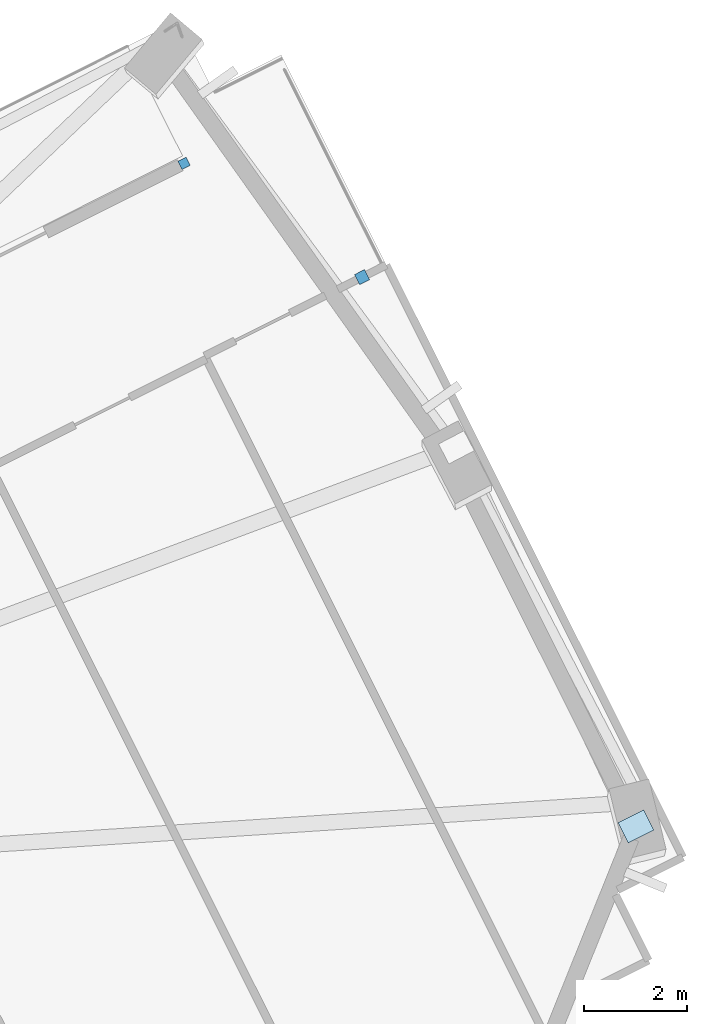
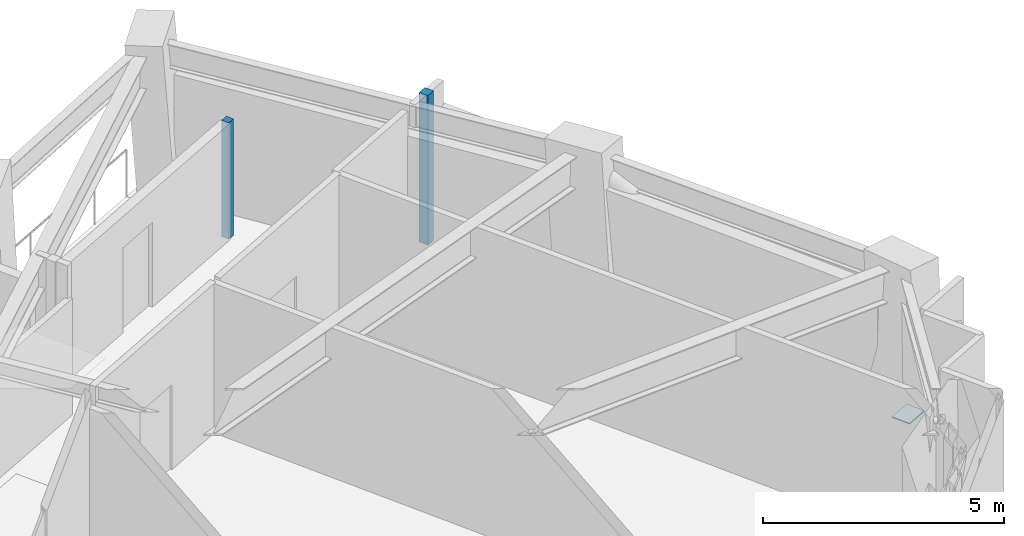
# One storey, part 6 of 16: 3 plates.
"""IFC4 building model written with IfcOpenShell, lengths in metres."""

from ifc_helpers import new_model, si_unit, direction, frame, origin, origin_2d, place, context, subcontext, project, spatial, rectangle, extrude, material, layer, layer_set, type_object, element, save


model = new_model("IFC4")

# Units and contexts
model_context = context("Model", 3, precision=1e-05, world=origin(), true_north=direction((0.0, 1.0)))
body_context = subcontext(model_context, "Body", "Model", "MODEL_VIEW")
ifc_project = project(units=[si_unit("LENGTHUNIT", "METRE"), si_unit("AREAUNIT", "SQUARE_METRE"), si_unit("VOLUMEUNIT", "CUBIC_METRE"), si_unit("PLANEANGLEUNIT", "RADIAN"), si_unit("MASSUNIT", "GRAM", prefix="KILO")], contexts=[model_context])

# Site, building, storey
site_placement = place(None, origin())
site = spatial("IfcSite", under=ifc_project, at=site_placement, CompositionType="ELEMENT")
building_placement = place(site_placement, origin())
building = spatial("IfcBuilding", under=site, at=building_placement, Name="Gaonmaruhae Medical Tower", CompositionType="ELEMENT")
storey_placement = place(building_placement, frame((0.0, 0.0, 136.39990234375)))
storey = spatial("IfcBuildingStorey", under=building, at=storey_placement, Name="L32", CompositionType="ELEMENT", Elevation=136.39990234375)

# Plates
ifc_material_1 = material(Name="Steel HSA650 (650 MPa)", Category="steel")
ifc_layer_1 = layer(ifc_material_1, 0.028076171875)
ifc_layer_set_1 = layer_set([ifc_layer_1], Name="Steel HSA650 (650 MPa)")
plate_type_1 = type_object("IfcPlateType", Name="GP-02 Tube Brace End Cap Gusset Plate", PredefinedType="USERDEFINED", material=ifc_layer_set_1)
plate_1_placement = place(storey_placement, frame((62.29296875, 18.0869140625, 0.23583984375), z_axis=(0.0, 0.0, 1.0), x_axis=(0.894154236839, 0.447759087839, 0.0)))
element("IfcPlate", 1, at=plate_1_placement, inside=storey, type_object=plate_type_1, Name="L32 Gusset Cap Plate PLT-L32-PBR-E01A", ObjectType="GUSSET_PLATE", PredefinedType="USERDEFINED", context=body_context, shape_type="SweptSolid", body=[
    extrude(rectangle(XDim=0.56005859375, YDim=0.43994140625, at=origin_2d()), origin(), (0.0, 0.0, 1.0), 0.028076171875),
])
ifc_material_2 = material(Name="Anodised aluminium 6063-T6", Category="aluminium")
ifc_layer_2 = layer(ifc_material_2, 0.011962890625)
ifc_layer_set_2 = layer_set([ifc_layer_2], Name="Anodised aluminium 6063-T6")
plate_type_2 = type_object("IfcPlateType", Name="PP-01 Interior Partition Corner Stiffener Plate", PredefinedType="SHEET", material=ifc_layer_set_2)
plate_2_placement = place(storey_placement, frame((53.479248046875, 31.019287109375, 0.0), z_axis=(0.0, 0.0, 1.0), x_axis=(0.894154236839, 0.447759087839, 0.0)))
element("IfcPlate", 2, at=plate_2_placement, inside=storey, type_object=plate_type_2, Name="L32 Partition End Jamb Post Plate PLT-L32-ENDP-TERB-1", PredefinedType="SHEET", context=body_context, shape_type="SweptSolid", body=[
    extrude(rectangle(XDim=0.179931640625, YDim=0.179931640625, at=origin_2d()), origin(), (0.0, 0.0, 1.0), 2.945068359375),
])
plate_3_placement = place(storey_placement, frame((56.951904296875, 28.799072265625, 0.0), z_axis=(0.0, 0.0, 1.0), x_axis=(0.89405262051, 0.447961953473, 0.0)))
element("IfcPlate", 3, at=plate_3_placement, inside=storey, type_object=plate_type_2, Name="L32 Partition Corner Stiffener Plate PLT-L32-JGP-PW110", PredefinedType="SHEET", context=body_context, shape_type="SweptSolid", body=[
    extrude(rectangle(XDim=0.219970703125, YDim=0.219970703125, at=origin_2d()), origin(), (0.0, 0.0, 1.0), 3.780029296875),
])

save(model, "model.ifc")
